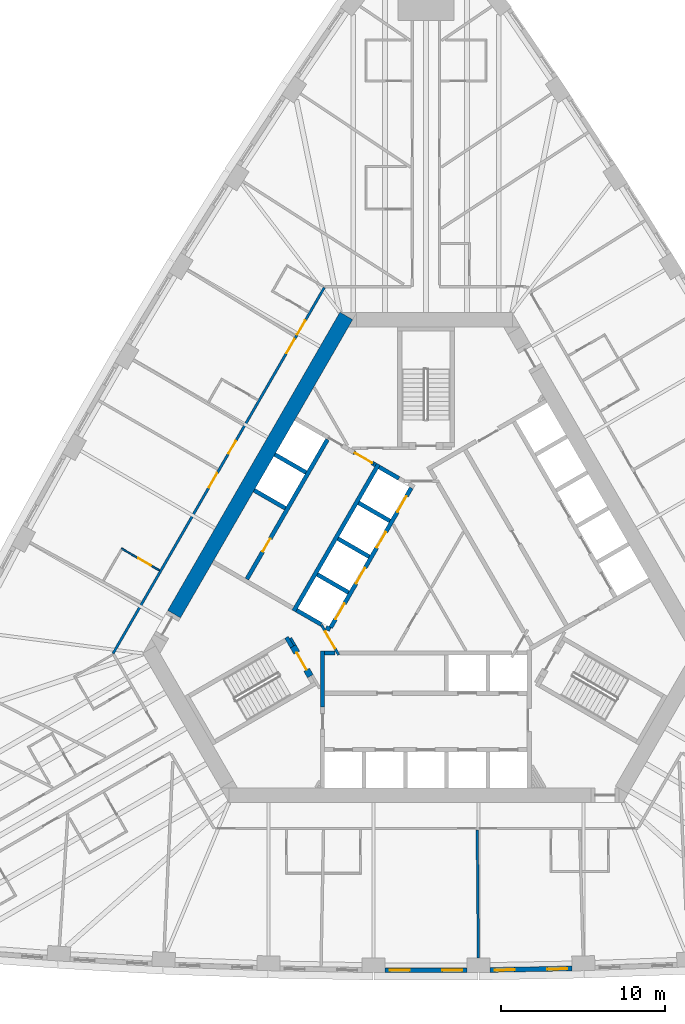
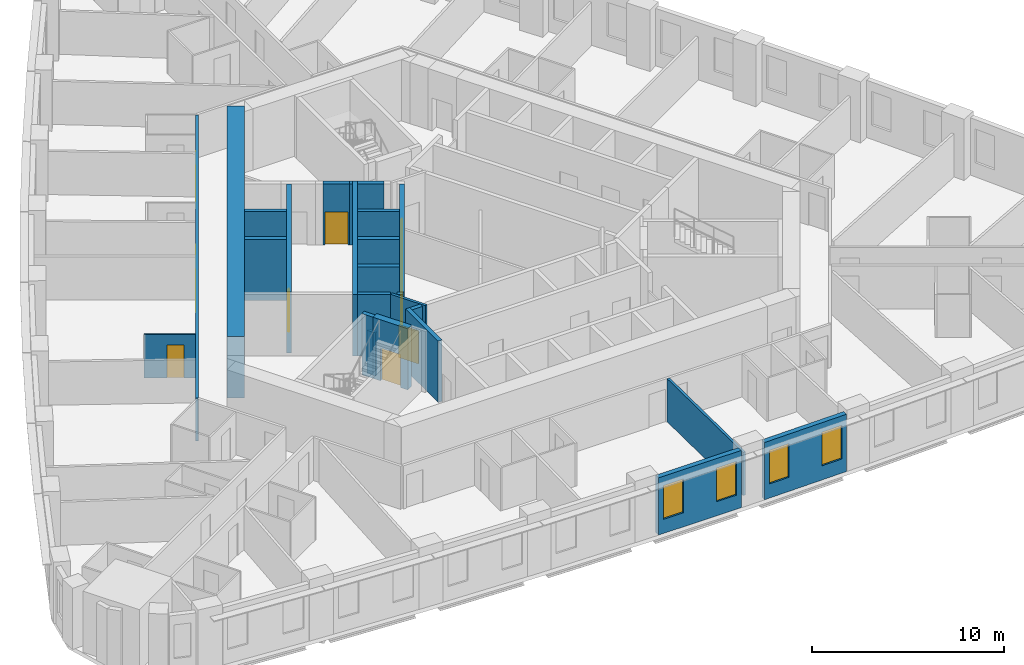
# One storey, part 5 of 13: 25 walls, 13 doors, 4 windows, 17 openings.
"""IFC4 building model written with IfcOpenShell, lengths in metres."""

from ifc_helpers import new_model, si_unit, direction, frame, frame_2d, origin, place, context, subcontext, project, spatial, polyline, rectangle, outline, extrude, material, layer, layer_set, type_object, element, fill, save


model = new_model("IFC4")

# Units and contexts
model_context = context("Model", 3, precision=1e-05, world=origin(), true_north=direction((0.0, 1.0)))
body_context = subcontext(model_context, "Body", "Model", "MODEL_VIEW")
ifc_project = project(units=[si_unit("LENGTHUNIT", "METRE"), si_unit("AREAUNIT", "SQUARE_METRE"), si_unit("VOLUMEUNIT", "CUBIC_METRE"), si_unit("PLANEANGLEUNIT", "RADIAN"), si_unit("MASSUNIT", "GRAM", prefix="KILO")], contexts=[model_context])

# Site, building, storey
site_placement = place(None, origin())
site = spatial("IfcSite", under=ifc_project, at=site_placement, CompositionType="ELEMENT")
building_placement = place(site_placement, origin())
building = spatial("IfcBuilding", under=site, at=building_placement, Name="Mestral Congress Tower", CompositionType="ELEMENT")
storey_placement = place(building_placement, frame((0.0, 0.0, 51.0)))
storey = spatial("IfcBuildingStorey", under=building, at=storey_placement, Name="L11", CompositionType="ELEMENT", Elevation=51.0)

# Walls
ifc_material_1 = material(Name="Fire-rated board partition")
ifc_layer_1 = layer(ifc_material_1, 0.14990234375)
ifc_layer_set_1 = layer_set([ifc_layer_1], Name="Fire-rated board partition")
wall_type_1 = type_object("IfcWallType", Name="Core partition 150", PredefinedType="PARTITIONING", material=ifc_layer_set_1)
wall_1_placement = place(storey_placement, frame((-8.251953125, -2.958251953125, 0.0), z_axis=(0.0, 0.0, 1.0), x_axis=(0.500174715838, -0.865924508047, 0.0)))
element("IfcWall", 1, at=wall_1_placement, inside=storey, type_object=wall_type_1, Name="L11 core wall", PredefinedType="PARTITIONING", context=body_context, shape_type="SweptSolid", body=[
    extrude(rectangle(XDim=0.513916015625, YDim=0.14990234375, at=frame_2d((0.2568359375, 0.0))), origin(), (0.0, 0.0, 1.0), 2.75),
])
ifc_material_2 = material(Name="Concrete C60/75", Category="concrete")
ifc_layer_2 = layer(ifc_material_2, 0.89990234375)
ifc_layer_set_2 = layer_set([ifc_layer_2], Name="Concrete C60/75")
wall_type_2 = type_object("IfcWallType", Name="Core wall RC 900", PredefinedType="SOLIDWALL", material=ifc_layer_set_2)
wall_2_placement = place(storey_placement, frame((-15.359619140625, -1.50341796875, 0.0), z_axis=(0.0, 0.0, 1.0), x_axis=(0.50000389221, 0.866023156604, 0.0)))
element("IfcWall", 2, at=wall_2_placement, inside=storey, type_object=wall_type_2, Name="L11 core wall", PredefinedType="SOLIDWALL", context=body_context, shape_type="SweptSolid", body=[
    extrude(rectangle(XDim=21.000244140625, YDim=0.89990234375, at=frame_2d((10.5, 0.0))), origin(), (0.0, 0.0, 1.0), 3.89990234375),
])

# Wall, openings, windows
ifc_material_3 = material(Name="Precast concrete C40/50 with limestone facing", Category="masonry")
ifc_layer_3 = layer(ifc_material_3, 0.2900390625)
ifc_layer_set_3 = layer_set([ifc_layer_3], Name="Precast concrete C40/50 with limestone facing")
wall_type_3 = type_object("IfcWallType", Name="Facade stone wall 290", PredefinedType="SOLIDWALL", material=ifc_layer_set_3)
wall_3_placement = place(storey_placement, frame((-2.4990234375, -23.21826171875, 0.0), z_axis=(0.0, 0.0, 1.0), x_axis=(1.0, 0.0, 0.0)))
wall_3 = element("IfcWall", 3, at=wall_3_placement, inside=storey, type_object=wall_type_3, Name="Facade wall F0-04", PredefinedType="SOLIDWALL", context=body_context, shape_type="SweptSolid", body=[
    extrude(rectangle(XDim=4.998046875, YDim=0.2900390625, at=frame_2d((2.4990234375, 0.0))), origin(), (0.0, 0.0, 1.0), 3.64990234375),
])
opening_1_placement = place(wall_3_placement, frame((0.297119140625, 0.0, 0.89990234375)))
opening_1 = element("IfcOpeningElement", 4, at=opening_1_placement, cuts=wall_3, Name="Opening W1", PredefinedType="OPENING", context=body_context, shape_type="SweptSolid", body=[
    extrude(rectangle(XDim=1.199951171875, YDim=2.14990234375, at=frame_2d((0.60009765625, 1.074951171875))), frame((0.0, 0.155029296875, 0.0), z_axis=(0.0, -1.0, 0.0), x_axis=(1.0, 0.0, 0.0)), (0.0, 0.0, 1.0), 0.31005859375),
])
opening_2_placement = place(wall_3_placement, frame((3.501220703125, 0.0, 0.89990234375)))
opening_2 = element("IfcOpeningElement", 5, at=opening_2_placement, cuts=wall_3, Name="Opening W1", PredefinedType="OPENING", context=body_context, shape_type="SweptSolid", body=[
    extrude(rectangle(XDim=1.199951171875, YDim=2.14990234375, at=frame_2d((0.60009765625, 1.074951171875))), frame((0.0, 0.155029296875, 0.0), z_axis=(0.0, -1.0, 0.0), x_axis=(1.0, 0.0, 0.0)), (0.0, 0.0, 1.0), 0.31005859375),
])
ifc_material_4 = material(Name="Clear low-emissivity double glazing", Category="glass")
window_type = type_object("IfcWindowType", Name="Facade punched window 1200 x 2150 sill 900", PartitioningType="DOUBLE_PANEL_VERTICAL", PredefinedType="WINDOW", material=ifc_material_4)
window_1_placement = place(opening_1_placement, origin())
window_1 = element("IfcWindow", 6, at=window_1_placement, inside=storey, type_object=window_type, Name="Window F0-04a", OverallHeight=2.14990234375, OverallWidth=1.199951171875, PartitioningType="DOUBLE_PANEL_VERTICAL", PredefinedType="WINDOW", context=body_context, shape_type="SweptSolid", body=[
    extrude(rectangle(XDim=1.199951171875, YDim=2.14990234375, at=frame_2d((0.60009765625, 1.074951171875))), frame((0.0, 0.01513671875, 0.0), z_axis=(0.0, -1.0, 0.0), x_axis=(1.0, 0.0, 0.0)), (0.0, 0.0, 1.0), 0.06005859375),
])
fill(opening_1, window_1)
window_2_placement = place(opening_2_placement, origin())
window_2 = element("IfcWindow", 7, at=window_2_placement, inside=storey, type_object=window_type, Name="Window F0-04b", OverallHeight=2.14990234375, OverallWidth=1.199951171875, PartitioningType="DOUBLE_PANEL_VERTICAL", PredefinedType="WINDOW", context=body_context, shape_type="SweptSolid", body=[
    extrude(rectangle(XDim=1.199951171875, YDim=2.14990234375, at=frame_2d((0.60009765625, 1.074951171875))), frame((0.0, 0.01513671875, 0.0), z_axis=(0.0, -1.0, 0.0), x_axis=(1.0, 0.0, 0.0)), (0.0, 0.0, 1.0), 0.06005859375),
])
fill(opening_2, window_2)

wall_4_placement = place(storey_placement, frame((3.90625, -23.205078125, 0.0), z_axis=(0.0, 0.0, 1.0), x_axis=(0.999829529479, 0.018463801951, 0.0)))
wall_4 = element("IfcWall", 8, at=wall_4_placement, inside=storey, type_object=wall_type_3, Name="Facade wall F0-05", PredefinedType="SOLIDWALL", context=body_context, shape_type="SweptSolid", body=[
    extrude(rectangle(XDim=4.998046875, YDim=0.2900390625, at=frame_2d((2.4990234375, 0.0))), origin(), (0.0, 0.0, 1.0), 3.64990234375),
])
opening_3_placement = place(wall_4_placement, frame((0.297119140625, 0.0, 0.89990234375)))
opening_3 = element("IfcOpeningElement", 9, at=opening_3_placement, cuts=wall_4, Name="Opening W1", PredefinedType="OPENING", context=body_context, shape_type="SweptSolid", body=[
    extrude(rectangle(XDim=1.199951171875, YDim=2.14990234375, at=frame_2d((0.60009765625, 1.074951171875))), frame((0.0, 0.155029296875, 0.0), z_axis=(0.0, -1.0, 0.0), x_axis=(1.0, 0.0, 0.0)), (0.0, 0.0, 1.0), 0.31005859375),
])
opening_4_placement = place(wall_4_placement, frame((3.501220703125, 0.0, 0.89990234375)))
opening_4 = element("IfcOpeningElement", 10, at=opening_4_placement, cuts=wall_4, Name="Opening W1", PredefinedType="OPENING", context=body_context, shape_type="SweptSolid", body=[
    extrude(rectangle(XDim=1.199951171875, YDim=2.14990234375, at=frame_2d((0.60009765625, 1.074951171875))), frame((0.0, 0.155029296875, 0.0), z_axis=(0.0, -1.0, 0.0), x_axis=(1.0, 0.0, 0.0)), (0.0, 0.0, 1.0), 0.31005859375),
])
window_3_placement = place(opening_3_placement, origin())
window_3 = element("IfcWindow", 11, at=window_3_placement, inside=storey, type_object=window_type, Name="Window F0-05a", OverallHeight=2.14990234375, OverallWidth=1.199951171875, PartitioningType="DOUBLE_PANEL_VERTICAL", PredefinedType="WINDOW", context=body_context, shape_type="SweptSolid", body=[
    extrude(rectangle(XDim=1.199951171875, YDim=2.14990234375, at=frame_2d((0.60009765625, 1.074951171875))), frame((0.0, 0.01513671875, 0.0), z_axis=(0.0, -1.0, 0.0), x_axis=(1.0, 0.0, 0.0)), (0.0, 0.0, 1.0), 0.06005859375),
])
fill(opening_3, window_3)
window_4_placement = place(opening_4_placement, origin())
window_4 = element("IfcWindow", 12, at=window_4_placement, inside=storey, type_object=window_type, Name="Window F0-05b", OverallHeight=2.14990234375, OverallWidth=1.199951171875, PartitioningType="DOUBLE_PANEL_VERTICAL", PredefinedType="WINDOW", context=body_context, shape_type="SweptSolid", body=[
    extrude(rectangle(XDim=1.199951171875, YDim=2.14990234375, at=frame_2d((0.60009765625, 1.074951171875))), frame((0.0, 0.01513671875, 0.0), z_axis=(0.0, -1.0, 0.0), x_axis=(1.0, 0.0, 0.0)), (0.0, 0.0, 1.0), 0.06005859375),
])
fill(opening_4, window_4)

# Wall, opening, door
ifc_material_5 = material(Name="Gypsum board partition on metal studs with mineral wool", Category="composite")
ifc_layer_4 = layer(ifc_material_5, 0.10009765625)
ifc_layer_set_4 = layer_set([ifc_layer_4], Name="Gypsum board partition on metal studs with mineral wool")
wall_type_4 = type_object("IfcWallType", Name="Hotel partition wall 100", PredefinedType="PARTITIONING", material=ifc_layer_set_4)
wall_5_placement = place(storey_placement, frame((-16.247314453125, 1.158935546875, 0.0), z_axis=(0.0, 0.0, 1.0), x_axis=(-0.866059108428, 0.4999416173, 0.0)))
wall_5 = element("IfcWall", 13, at=wall_5_placement, inside=storey, type_object=wall_type_4, Name="L11-h-pod23a", PredefinedType="PARTITIONING", context=body_context, shape_type="SweptSolid", body=[
    extrude(rectangle(XDim=2.699951171875, YDim=0.10009765625, at=frame_2d((1.35009765625, 0.0))), origin(), (0.0, 0.0, 1.0), 2.75),
])
opening_5_placement = place(wall_5_placement, frame((0.60009765625, 0.0, 0.0)))
opening_5 = element("IfcOpeningElement", 14, at=opening_5_placement, cuts=wall_5, Name="Opening H03-044", PredefinedType="OPENING", context=body_context, shape_type="SweptSolid", body=[
    extrude(rectangle(XDim=0.89990234375, YDim=2.10009765625, at=frame_2d((0.449951171875, 1.050048828125))), frame((0.0, 0.06005859375, 0.0), z_axis=(0.0, -1.0, 0.0), x_axis=(1.0, 0.0, 0.0)), (0.0, 0.0, 1.0), 0.1201171875),
])
ifc_material_6 = material(Name="Timber veneer door leaf in timber frame", Category="wood")
door_type_1 = type_object("IfcDoorType", Name="Bathroom door 900", OperationType="SINGLE_SWING_LEFT", PredefinedType="DOOR", material=ifc_material_6)
door_1_placement = place(opening_5_placement, origin())
door_1 = element("IfcDoor", 15, at=door_1_placement, inside=storey, type_object=door_type_1, Name="L11-h-d044", OperationType="SINGLE_SWING_LEFT", OverallHeight=2.10009765625, OverallWidth=0.89990234375, PredefinedType="DOOR", context=body_context, shape_type="SweptSolid", body=[
    extrude(rectangle(XDim=0.89990234375, YDim=2.10009765625, at=frame_2d((0.449951171875, 1.050048828125))), frame((0.0, 0.02490234375, 0.0), z_axis=(0.0, -1.0, 0.0), x_axis=(1.0, 0.0, 0.0)), (0.0, 0.0, 1.0), 0.050048828125),
])
fill(opening_5, door_1)

# Wall, openings, doors
ifc_layer_5 = layer(ifc_material_5, 0.14990234375)
ifc_layer_set_5 = layer_set([ifc_layer_5], Name="Gypsum board partition on metal studs with mineral wool")
wall_type_5 = type_object("IfcWallType", Name="Hotel partition wall 150", PredefinedType="PARTITIONING", material=ifc_layer_set_5)
wall_6_placement = place(storey_placement, frame((-19.081298828125, -3.89990234375, 0.0), z_axis=(0.0, 0.0, 1.0), x_axis=(0.499998313975, 0.866026377209, 0.0)))
wall_6 = element("IfcWall", 16, at=wall_6_placement, inside=storey, type_object=wall_type_5, Name="L11-h-cw08", PredefinedType="PARTITIONING", context=body_context, shape_type="SweptSolid", body=[
    extrude(rectangle(XDim=25.76611328125, YDim=0.14990234375, at=frame_2d((12.883056640625, 0.0))), origin(), (0.0, 0.0, 1.0), 2.75),
])
opening_6_placement = place(wall_6_placement, frame((22.4453125, 0.0, 0.0)))
opening_6 = element("IfcOpeningElement", 17, at=opening_6_placement, cuts=wall_6, Name="Opening H03-038", PredefinedType="OPENING", context=body_context, shape_type="SweptSolid", body=[
    extrude(rectangle(XDim=1.0, YDim=2.10009765625, at=frame_2d((0.5, 1.050048828125))), frame((0.0, 0.0849609375, 0.0), z_axis=(0.0, -1.0, 0.0), x_axis=(1.0, 0.0, 0.0)), (0.0, 0.0, 1.0), 0.169921875),
])
opening_7_placement = place(wall_6_placement, frame((21.13818359375, 0.0, 0.0)))
opening_7 = element("IfcOpeningElement", 18, at=opening_7_placement, cuts=wall_6, Name="Opening H03-040", PredefinedType="OPENING", context=body_context, shape_type="SweptSolid", body=[
    extrude(rectangle(XDim=1.0, YDim=2.10009765625, at=frame_2d((0.5, 1.050048828125))), frame((0.0, 0.0849609375, 0.0), z_axis=(0.0, -1.0, 0.0), x_axis=(1.0, 0.0, 0.0)), (0.0, 0.0, 1.0), 0.169921875),
])
opening_8_placement = place(wall_6_placement, frame((14.06640625, 0.0, 0.0)))
opening_8 = element("IfcOpeningElement", 19, at=opening_8_placement, cuts=wall_6, Name="Opening H03-042", PredefinedType="OPENING", context=body_context, shape_type="SweptSolid", body=[
    extrude(rectangle(XDim=0.89990234375, YDim=2.10009765625, at=frame_2d((0.449951171875, 1.050048828125))), frame((0.0, 0.0849609375, 0.0), z_axis=(0.0, -1.0, 0.0), x_axis=(1.0, 0.0, 0.0)), (0.0, 0.0, 1.0), 0.169921875),
])
opening_9_placement = place(wall_6_placement, frame((11.692626953125, 0.0, 0.0)))
opening_9 = element("IfcOpeningElement", 20, at=opening_9_placement, cuts=wall_6, Name="Opening H03-043", PredefinedType="OPENING", context=body_context, shape_type="SweptSolid", body=[
    extrude(rectangle(XDim=1.0, YDim=2.10009765625, at=frame_2d((0.5, 1.050048828125))), frame((0.0, 0.0849609375, 0.0), z_axis=(0.0, -1.0, 0.0), x_axis=(1.0, 0.0, 0.0)), (0.0, 0.0, 1.0), 0.169921875),
])
ifc_material_7 = material(Name="Timber veneer door leaf in metal frame", Category="wood")
door_type_2 = type_object("IfcDoorType", Name="Guest room entrance door 1000", OperationType="SINGLE_SWING_LEFT", PredefinedType="DOOR", material=ifc_material_7)
door_2_placement = place(opening_6_placement, origin())
door_2 = element("IfcDoor", 21, at=door_2_placement, inside=storey, type_object=door_type_2, Name="L11-h-d038", OperationType="SINGLE_SWING_LEFT", OverallHeight=2.10009765625, OverallWidth=1.0, PredefinedType="DOOR", context=body_context, shape_type="SweptSolid", body=[
    extrude(rectangle(XDim=1.0, YDim=2.10009765625, at=frame_2d((0.5, 1.050048828125))), frame((0.0, 0.02490234375, 0.0), z_axis=(0.0, -1.0, 0.0), x_axis=(1.0, 0.0, 0.0)), (0.0, 0.0, 1.0), 0.050048828125),
])
fill(opening_6, door_2)
door_3_placement = place(opening_7_placement, origin())
door_3 = element("IfcDoor", 22, at=door_3_placement, inside=storey, type_object=door_type_2, Name="L11-h-d040", OperationType="SINGLE_SWING_RIGHT", OverallHeight=2.10009765625, OverallWidth=1.0, PredefinedType="DOOR", context=body_context, shape_type="SweptSolid", body=[
    extrude(rectangle(XDim=1.0, YDim=2.10009765625, at=frame_2d((0.5, 1.050048828125))), frame((0.0, 0.02490234375, 0.0), z_axis=(0.0, -1.0, 0.0), x_axis=(1.0, 0.0, 0.0)), (0.0, 0.0, 1.0), 0.050048828125),
])
fill(opening_7, door_3)
door_4_placement = place(opening_9_placement, origin())
door_4 = element("IfcDoor", 23, at=door_4_placement, inside=storey, type_object=door_type_2, Name="L11-h-d043", OperationType="SINGLE_SWING_RIGHT", OverallHeight=2.10009765625, OverallWidth=1.0, PredefinedType="DOOR", context=body_context, shape_type="SweptSolid", body=[
    extrude(rectangle(XDim=1.0, YDim=2.10009765625, at=frame_2d((0.5, 1.050048828125))), frame((0.0, 0.02490234375, 0.0), z_axis=(0.0, -1.0, 0.0), x_axis=(1.0, 0.0, 0.0)), (0.0, 0.0, 1.0), 0.050048828125),
])
fill(opening_9, door_4)
door_type_3 = type_object("IfcDoorType", Name="Service room door 900", OperationType="SINGLE_SWING_LEFT", PredefinedType="DOOR", material=ifc_material_7)
door_5_placement = place(opening_8_placement, origin())
door_5 = element("IfcDoor", 24, at=door_5_placement, inside=storey, type_object=door_type_3, Name="L11-h-d042", OperationType="SINGLE_SWING_RIGHT", OverallHeight=2.10009765625, OverallWidth=0.89990234375, PredefinedType="DOOR", context=body_context, shape_type="SweptSolid", body=[
    extrude(rectangle(XDim=0.89990234375, YDim=2.10009765625, at=frame_2d((0.449951171875, 1.050048828125))), frame((0.0, 0.02490234375, 0.0), z_axis=(0.0, -1.0, 0.0), x_axis=(1.0, 0.0, 0.0)), (0.0, 0.0, 1.0), 0.050048828125),
])
fill(opening_8, door_5)

# Walls
wall_7_placement = place(storey_placement, frame((3.19580078125, -22.463134765625, 0.0), z_axis=(0.0, 0.0, 1.0), x_axis=(-0.00926060032, 0.999957119721, 0.0)))
element("IfcWall", 25, at=wall_7_placement, inside=storey, type_object=wall_type_5, Name="L11-h-pw17", PredefinedType="PARTITIONING", context=body_context, shape_type="SweptSolid", body=[
    extrude(rectangle(XDim=7.803466796875, YDim=0.14990234375, at=frame_2d((3.90185546875, 0.0))), origin(), (0.0, 0.0, 1.0), 2.75),
])
ifc_layer_6 = layer(ifc_material_2, 0.25)
ifc_layer_set_6 = layer_set([ifc_layer_6], Name="Concrete C60/75")
wall_type_6 = type_object("IfcWallType", Name="Shaft wall RC 250", PredefinedType="SOLIDWALL", material=ifc_layer_set_6)
wall_8_placement = place(storey_placement, frame((-6.300048828125, -3.75, 0.0), z_axis=(0.0, 0.0, 1.0), x_axis=(0.0, -1.0, 0.0)))
element("IfcWall", 26, at=wall_8_placement, inside=storey, type_object=wall_type_6, Name="L11 core wall", PredefinedType="SOLIDWALL", context=body_context, shape_type="SweptSolid", body=[
    extrude(rectangle(XDim=3.404296875, YDim=0.25, at=frame_2d((1.7021484375, 0.0))), origin(), (0.0, 0.0, 1.0), 3.89990234375),
])
wall_9_placement = place(storey_placement, frame((-6.175048828125, -3.875, 0.0), z_axis=(0.0, 0.0, 1.0), x_axis=(1.0, 0.0, 0.0)))
element("IfcWall", 27, at=wall_9_placement, inside=storey, type_object=wall_type_6, Name="L11 core wall", PredefinedType="SOLIDWALL", context=body_context, shape_type="SweptSolid", body=[
    extrude(rectangle(XDim=0.63671875, YDim=0.25, at=frame_2d((0.318359375, 0.0))), origin(), (0.0, 0.0, 1.0), 3.89990234375),
])
wall_10_placement = place(storey_placement, frame((-8.06005859375, -1.310546875, 0.0), z_axis=(0.0, 0.0, 1.0), x_axis=(0.50000273126, 0.866023826885, 0.0)))
element("IfcWall", 28, at=wall_10_placement, inside=storey, type_object=wall_type_6, Name="L11 core wall", PredefinedType="SOLIDWALL", context=body_context, shape_type="SweptSolid", body=[
    extrude(rectangle(XDim=10.330078125, YDim=0.25, at=frame_2d((5.1650390625, 0.0))), origin(), (0.0, 0.0, 1.0), 3.89990234375),
])
wall_11_placement = place(storey_placement, frame((-1.6474609375, 6.770751953125, 0.0), z_axis=(0.0, 0.0, 1.0), x_axis=(-0.865971728693, 0.500092956464, 0.0)))
element("IfcWall", 29, at=wall_11_placement, inside=storey, type_object=wall_type_6, Name="L11 core wall", PredefinedType="SOLIDWALL", context=body_context, shape_type="SweptSolid", body=[
    extrude(rectangle(XDim=1.387939453125, YDim=0.25, at=frame_2d((0.69384765625, 0.0))), origin(), (0.0, 0.0, 1.0), 3.89990234375),
])
for number, where, z_axis, x_axis, name in (
    (30, (-2.2041015625, 4.182373046875, 0.0), (0.0, 0.0, 1.0), (-0.866008176907, 0.50002983664, 0.0), "L11 core wall"),
    (31, (-5.369384765625, 3.10009765625, 0.0), (0.0, 0.0, 1.0), (0.866008176907, -0.50002983664, 0.0), "L11 core wall"),
    (32, (-4.72412109375, -0.182373046875, 0.0), (0.0, 0.0, 1.0), (-0.866008176907, 0.50002983664, 0.0), "L11 core wall"),
):
    element("IfcWall", number, at=place(storey_placement, frame(where, z_axis=z_axis, x_axis=x_axis)), inside=storey, type_object=wall_type_6, Name=name, PredefinedType="SOLIDWALL", context=body_context, shape_type="SweptSolid", body=[
        extrude(rectangle(XDim=2.199951171875, YDim=0.25, at=frame_2d((1.10009765625, 0.0))), origin(), (0.0, 0.0, 1.0), 3.89990234375),
    ])
wall_12_placement = place(storey_placement, frame((-6.088134765625, -2.3046875, 0.0), z_axis=(0.0, 0.0, 1.0), x_axis=(0.866059450854, -0.499941024108, 0.0)))
element("IfcWall", 33, at=wall_12_placement, inside=storey, type_object=wall_type_6, Name="L11 core wall", PredefinedType="SOLIDWALL", context=body_context, shape_type="SweptSolid", body=[
    extrude(rectangle(XDim=0.2900390625, YDim=0.25, at=frame_2d((0.14501953125, 0.0))), origin(), (0.0, 0.0, 1.0), 3.89990234375),
])
wall_13_placement = place(storey_placement, frame((-7.889404296875, -1.2646484375, 0.0), z_axis=(0.0, 0.0, 1.0), x_axis=(0.865986741702, -0.500066958712, 0.0)))
element("IfcWall", 34, at=wall_13_placement, inside=storey, type_object=wall_type_6, Name="L11 core wall", PredefinedType="SOLIDWALL", context=body_context, shape_type="SweptSolid", body=[
    extrude(rectangle(XDim=1.738037109375, YDim=0.25, at=frame_2d((0.869140625, 0.0))), origin(), (0.0, 0.0, 1.0), 3.89990234375),
])
wall_14_placement = place(storey_placement, origin())
element("IfcWall", 35, at=wall_14_placement, inside=storey, type_object=wall_type_6, Name="L11 core wall", PredefinedType="SOLIDWALL", context=body_context, shape_type="SweptSolid", body=[
    extrude(outline(polyline([(-3.12841796875, 7.4814453125), (-3.2587890625, 7.556640625), (-3.1337890625, 7.773193359375), (-3.00341796875, 7.697998046875), (-3.12841796875, 7.4814453125)])), origin(), (0.0, 0.0, 1.0), 3.89990234375),
])
for number, where, z_axis, x_axis, name in (
    (36, (-8.57373046875, 4.949951171875, 0.0), (0.0, 0.0, 1.0), (-0.866008176907, 0.50002983664, 0.0), "L11 core wall"),
    (37, (-7.313720703125, 7.13232421875, 0.0), (0.0, 0.0, 1.0), (-0.866008176907, 0.50002983664, 0.0), "L11 core wall"),
):
    element("IfcWall", number, at=place(storey_placement, frame(where, z_axis=z_axis, x_axis=x_axis)), inside=storey, type_object=wall_type_6, Name=name, PredefinedType="SOLIDWALL", context=body_context, shape_type="SweptSolid", body=[
        extrude(rectangle(XDim=2.199951171875, YDim=0.25, at=frame_2d((1.10009765625, 0.0))), origin(), (0.0, 0.0, 1.0), 3.89990234375),
    ])

# Wall, opening, door
wall_15_placement = place(storey_placement, frame((-6.0078125, 9.14404296875, 0.0), z_axis=(0.0, 0.0, 1.0), x_axis=(-0.500006956611, -0.866021387346, 0.0)))
wall_15 = element("IfcWall", 38, at=wall_15_placement, inside=storey, type_object=wall_type_6, Name="L11 door wall", PredefinedType="SOLIDWALL", context=body_context, shape_type="SweptSolid", body=[
    extrude(rectangle(XDim=9.829833984375, YDim=0.25, at=frame_2d((4.9150390625, 0.0))), origin(), (0.0, 0.0, 1.0), 3.89990234375),
])
opening_10_placement = place(wall_15_placement, frame((6.985107421875, 0.0, 0.0)))
opening_10 = element("IfcOpeningElement", 39, at=opening_10_placement, cuts=wall_15, Name="Opening SR-NWA2", PredefinedType="OPENING", context=body_context, shape_type="SweptSolid", body=[
    extrude(rectangle(XDim=0.89990234375, YDim=2.10009765625, at=frame_2d((0.449951171875, 1.050048828125))), frame((0.0, 0.135009765625, 0.0), z_axis=(0.0, -1.0, 0.0), x_axis=(1.0, 0.0, 0.0)), (0.0, 0.0, 1.0), 0.27001953125),
])
ifc_material_8 = material(Name="Fire-rated steel door set", Category="steel")
door_type_4 = type_object("IfcDoorType", Name="Core door SR 900x2100", OperationType="SINGLE_SWING_LEFT", PredefinedType="DOOR", material=ifc_material_8)
door_6_placement = place(opening_10_placement, origin())
door_6 = element("IfcDoor", 40, at=door_6_placement, inside=storey, type_object=door_type_4, Name="Door SR-NWA2", OperationType="SINGLE_SWING_LEFT", OverallHeight=2.10009765625, OverallWidth=0.89990234375, PredefinedType="DOOR", context=body_context, shape_type="SweptSolid", body=[
    extrude(rectangle(XDim=0.89990234375, YDim=2.10009765625, at=frame_2d((0.449951171875, 1.050048828125))), frame((0.0, 0.02490234375, 0.0), z_axis=(0.0, -1.0, 0.0), x_axis=(1.0, 0.0, 0.0)), (0.0, 0.0, 1.0), 0.050048828125),
])
fill(opening_10, door_6)

# Wall, openings, doors
wall_16_placement = place(storey_placement, frame((-0.898193359375, 6.194091796875, 0.0), z_axis=(0.0, 0.0, 1.0), x_axis=(-0.499996202215, -0.866027596426, 0.0)))
wall_16 = element("IfcWall", 41, at=wall_16_placement, inside=storey, type_object=wall_type_6, Name="L11 door wall", PredefinedType="SOLIDWALL", context=body_context, shape_type="SweptSolid", body=[
    extrude(rectangle(XDim=9.830078125, YDim=0.25, at=frame_2d((4.9150390625, 0.0))), origin(), (0.0, 0.0, 1.0), 3.89990234375),
])
opening_11_placement = place(wall_16_placement, frame((0.5849609375, 0.0, 0.0)))
opening_11 = element("IfcOpeningElement", 42, at=opening_11_placement, cuts=wall_16, Name="Opening LD-NWB1", PredefinedType="OPENING", context=body_context, shape_type="SweptSolid", body=[
    extrude(rectangle(XDim=1.10009765625, YDim=2.10009765625, at=frame_2d((0.550048828125, 1.050048828125))), frame((0.0, 0.135009765625, 0.0), z_axis=(0.0, -1.0, 0.0), x_axis=(1.0, 0.0, 0.0)), (0.0, 0.0, 1.0), 0.27001953125),
])
opening_12_placement = place(wall_16_placement, frame((3.10498046875, 0.0, 0.0)))
opening_12 = element("IfcOpeningElement", 43, at=opening_12_placement, cuts=wall_16, Name="Opening LD-NWB2", PredefinedType="OPENING", context=body_context, shape_type="SweptSolid", body=[
    extrude(rectangle(XDim=1.10009765625, YDim=2.10009765625, at=frame_2d((0.550048828125, 1.050048828125))), frame((0.0, 0.135009765625, 0.0), z_axis=(0.0, -1.0, 0.0), x_axis=(1.0, 0.0, 0.0)), (0.0, 0.0, 1.0), 0.27001953125),
])
opening_13_placement = place(wall_16_placement, frame((5.625, 0.0, 0.0)))
opening_13 = element("IfcOpeningElement", 44, at=opening_13_placement, cuts=wall_16, Name="Opening LD-NWB3", PredefinedType="OPENING", context=body_context, shape_type="SweptSolid", body=[
    extrude(rectangle(XDim=1.10009765625, YDim=2.10009765625, at=frame_2d((0.550048828125, 1.050048828125))), frame((0.0, 0.135009765625, 0.0), z_axis=(0.0, -1.0, 0.0), x_axis=(1.0, 0.0, 0.0)), (0.0, 0.0, 1.0), 0.27001953125),
])
opening_14_placement = place(wall_16_placement, frame((8.14501953125, 0.0, 0.0)))
opening_14 = element("IfcOpeningElement", 45, at=opening_14_placement, cuts=wall_16, Name="Opening LD-NWB4", PredefinedType="OPENING", context=body_context, shape_type="SweptSolid", body=[
    extrude(rectangle(XDim=1.10009765625, YDim=2.10009765625, at=frame_2d((0.550048828125, 1.050048828125))), frame((0.0, 0.135009765625, 0.0), z_axis=(0.0, -1.0, 0.0), x_axis=(1.0, 0.0, 0.0)), (0.0, 0.0, 1.0), 0.27001953125),
])
door_type_5 = type_object("IfcDoorType", Name="Core door LD 1100x2100", OperationType="DOUBLE_DOOR_SLIDING", PredefinedType="DOOR", material=ifc_material_8)
door_7_placement = place(opening_11_placement, origin())
door_7 = element("IfcDoor", 46, at=door_7_placement, inside=storey, type_object=door_type_5, Name="Door LD-NWB1", OperationType="DOUBLE_DOOR_SLIDING", OverallHeight=2.10009765625, OverallWidth=1.10009765625, PredefinedType="DOOR", context=body_context, shape_type="SweptSolid", body=[
    extrude(rectangle(XDim=1.10009765625, YDim=2.10009765625, at=frame_2d((0.550048828125, 1.050048828125))), frame((0.0, 0.02490234375, 0.0), z_axis=(0.0, -1.0, 0.0), x_axis=(1.0, 0.0, 0.0)), (0.0, 0.0, 1.0), 0.050048828125),
])
fill(opening_11, door_7)
door_8_placement = place(opening_12_placement, origin())
door_8 = element("IfcDoor", 47, at=door_8_placement, inside=storey, type_object=door_type_5, Name="Door LD-NWB2", OperationType="DOUBLE_DOOR_SLIDING", OverallHeight=2.10009765625, OverallWidth=1.10009765625, PredefinedType="DOOR", context=body_context, shape_type="SweptSolid", body=[
    extrude(rectangle(XDim=1.10009765625, YDim=2.10009765625, at=frame_2d((0.550048828125, 1.050048828125))), frame((0.0, 0.02490234375, 0.0), z_axis=(0.0, -1.0, 0.0), x_axis=(1.0, 0.0, 0.0)), (0.0, 0.0, 1.0), 0.050048828125),
])
fill(opening_12, door_8)
door_9_placement = place(opening_13_placement, origin())
door_9 = element("IfcDoor", 48, at=door_9_placement, inside=storey, type_object=door_type_5, Name="Door LD-NWB3", OperationType="DOUBLE_DOOR_SLIDING", OverallHeight=2.10009765625, OverallWidth=1.10009765625, PredefinedType="DOOR", context=body_context, shape_type="SweptSolid", body=[
    extrude(rectangle(XDim=1.10009765625, YDim=2.10009765625, at=frame_2d((0.550048828125, 1.050048828125))), frame((0.0, 0.02490234375, 0.0), z_axis=(0.0, -1.0, 0.0), x_axis=(1.0, 0.0, 0.0)), (0.0, 0.0, 1.0), 0.050048828125),
])
fill(opening_13, door_9)
door_10_placement = place(opening_14_placement, origin())
door_10 = element("IfcDoor", 49, at=door_10_placement, inside=storey, type_object=door_type_5, Name="Door LD-NWB4", OperationType="DOUBLE_DOOR_SLIDING", OverallHeight=2.10009765625, OverallWidth=1.10009765625, PredefinedType="DOOR", context=body_context, shape_type="SweptSolid", body=[
    extrude(rectangle(XDim=1.10009765625, YDim=2.10009765625, at=frame_2d((0.550048828125, 1.050048828125))), frame((0.0, 0.02490234375, 0.0), z_axis=(0.0, -1.0, 0.0), x_axis=(1.0, 0.0, 0.0)), (0.0, 0.0, 1.0), 0.050048828125),
])
fill(opening_14, door_10)

# Wall, opening, door
wall_17_placement = place(storey_placement, frame((-4.40869140625, 8.364990234375, 0.0), z_axis=(0.0, 0.0, 1.0), x_axis=(0.866034573852, -0.49998411664, 0.0)))
wall_17 = element("IfcWall", 50, at=wall_17_placement, inside=storey, type_object=wall_type_6, Name="L11 door wall", PredefinedType="SOLIDWALL", context=body_context, shape_type="SweptSolid", body=[
    extrude(rectangle(XDim=1.39990234375, YDim=0.25, at=frame_2d((0.699951171875, 0.0))), origin(), (0.0, 0.0, 1.0), 3.89990234375),
])
opening_15_placement = place(wall_17_placement, frame((0.10009765625, 0.0, 0.0)))
opening_15 = element("IfcOpeningElement", 51, at=opening_15_placement, cuts=wall_17, Name="Opening LB2-WL2", PredefinedType="OPENING", context=body_context, shape_type="SweptSolid", body=[
    extrude(rectangle(XDim=1.199951171875, YDim=2.10009765625, at=frame_2d((0.60009765625, 1.050048828125))), frame((0.0, 0.135009765625, 0.0), z_axis=(0.0, -1.0, 0.0), x_axis=(1.0, 0.0, 0.0)), (0.0, 0.0, 1.0), 0.27001953125),
])
door_type_6 = type_object("IfcDoorType", Name="Core door LB 1200x2100", OperationType="SINGLE_SWING_LEFT", PredefinedType="DOOR", material=ifc_material_8)
door_11_placement = place(opening_15_placement, origin())
door_11 = element("IfcDoor", 52, at=door_11_placement, inside=storey, type_object=door_type_6, Name="Door LB2-WL2", OperationType="SINGLE_SWING_LEFT", OverallHeight=2.10009765625, OverallWidth=1.199951171875, PredefinedType="DOOR", context=body_context, shape_type="SweptSolid", body=[
    extrude(rectangle(XDim=1.199951171875, YDim=2.10009765625, at=frame_2d((0.60009765625, 1.050048828125))), frame((0.0, 0.02490234375, 0.0), z_axis=(0.0, -1.0, 0.0), x_axis=(1.0, 0.0, 0.0)), (0.0, 0.0, 1.0), 0.050048828125),
])
fill(opening_15, door_11)

ifc_layer_7 = layer(ifc_material_2, 0.14990234375)
ifc_layer_set_7 = layer_set([ifc_layer_7], Name="Concrete C60/75")
wall_type_7 = type_object("IfcWallType", Name="Shaft wall RC 250 door-wall 150", PredefinedType="SOLIDWALL", material=ifc_layer_set_7)
wall_18_placement = place(storey_placement, frame((-5.3173828125, -3.98974609375, 0.0), z_axis=(0.0, 0.0, 1.0), x_axis=(-0.500027713859, 0.866009402589, 0.0)))
wall_18 = element("IfcWall", 53, at=wall_18_placement, inside=storey, type_object=wall_type_7, Name="L11 door wall", PredefinedType="PARTITIONING", context=body_context, shape_type="SweptSolid", body=[
    extrude(rectangle(XDim=2.10009765625, YDim=0.14990234375, at=frame_2d((1.050048828125, 0.0))), origin(), (0.0, 0.0, 1.0), 3.89990234375),
])
opening_16_placement = place(wall_18_placement, frame((0.449951171875, 0.0, 0.0)))
opening_16 = element("IfcOpeningElement", 54, at=opening_16_placement, cuts=wall_18, Name="Opening CD3-FF", PredefinedType="OPENING", context=body_context, shape_type="SweptSolid", body=[
    extrude(rectangle(XDim=1.199951171875, YDim=2.10009765625, at=frame_2d((0.60009765625, 1.050048828125))), frame((0.0, 0.0849609375, 0.0), z_axis=(0.0, -1.0, 0.0), x_axis=(1.0, 0.0, 0.0)), (0.0, 0.0, 1.0), 0.169921875),
])
door_type_7 = type_object("IfcDoorType", Name="Core door CD 1200x2100", OperationType="SINGLE_SWING_LEFT", PredefinedType="DOOR", material=ifc_material_8)
door_12_placement = place(opening_16_placement, origin())
door_12 = element("IfcDoor", 55, at=door_12_placement, inside=storey, type_object=door_type_7, Name="Door CD3-FF", OperationType="SINGLE_SWING_LEFT", OverallHeight=2.10009765625, OverallWidth=1.199951171875, PredefinedType="DOOR", context=body_context, shape_type="SweptSolid", body=[
    extrude(rectangle(XDim=1.199951171875, YDim=2.10009765625, at=frame_2d((0.60009765625, 1.050048828125))), frame((0.0, 0.02490234375, 0.0), z_axis=(0.0, -1.0, 0.0), x_axis=(1.0, 0.0, 0.0)), (0.0, 0.0, 1.0), 0.050048828125),
])
fill(opening_16, door_12)

# Wall
ifc_layer_8 = layer(ifc_material_2, 0.25)
ifc_layer_set_8 = layer_set([ifc_layer_8], Name="Concrete C60/75")
wall_type_8 = type_object("IfcWallType", Name="Stair wall RC 250", PredefinedType="SOLIDWALL", material=ifc_layer_set_8)
wall_19_placement = place(storey_placement, frame((-8.167724609375, -3.503173828125, 0.0), z_axis=(0.0, 0.0, 1.0), x_axis=(-0.499952099219, 0.866053057547, 0.0)))
element("IfcWall", 56, at=wall_19_placement, inside=storey, type_object=wall_type_8, Name="L11 core wall", PredefinedType="SOLIDWALL", context=body_context, shape_type="SweptSolid", body=[
    extrude(rectangle(XDim=0.6748046875, YDim=0.25, at=frame_2d((0.33740234375, 0.0))), origin(), (0.0, 0.0, 1.0), 3.89990234375),
])

# Wall, opening, door
ifc_layer_9 = layer(ifc_material_2, 0.39990234375)
ifc_layer_set_9 = layer_set([ifc_layer_9], Name="Concrete C60/75")
wall_type_9 = type_object("IfcWallType", Name="Stair wall RC 250 door-wall 400", PredefinedType="SOLIDWALL", material=ifc_layer_set_9)
wall_20_placement = place(storey_placement, frame((-8.102783203125, -3.4658203125, 0.0), z_axis=(0.0, 0.0, 1.0), x_axis=(0.500078061341, -0.865980330357, 0.0)))
wall_20 = element("IfcWall", 57, at=wall_20_placement, inside=storey, type_object=wall_type_9, Name="L11 door wall", PredefinedType="SOLIDWALL", context=body_context, shape_type="SweptSolid", body=[
    extrude(rectangle(XDim=2.099853515625, YDim=0.39990234375, at=frame_2d((1.0498046875, 0.0))), origin(), (0.0, 0.0, 1.0), 3.89990234375),
])
opening_17_placement = place(wall_20_placement, frame((0.449951171875, 0.0, 0.0)))
opening_17 = element("IfcOpeningElement", 58, at=opening_17_placement, cuts=wall_20, Name="Opening ST-D3", PredefinedType="OPENING", context=body_context, shape_type="SweptSolid", body=[
    extrude(rectangle(XDim=1.199951171875, YDim=2.10009765625, at=frame_2d((0.60009765625, 1.050048828125))), frame((0.0, 0.2099609375, 0.0), z_axis=(0.0, -1.0, 0.0), x_axis=(1.0, 0.0, 0.0)), (0.0, 0.0, 1.0), 0.419921875),
])
door_type_8 = type_object("IfcDoorType", Name="Core door ST 1200x2100", OperationType="SINGLE_SWING_LEFT", PredefinedType="DOOR", material=ifc_material_8)
door_13_placement = place(opening_17_placement, origin())
door_13 = element("IfcDoor", 59, at=door_13_placement, inside=storey, type_object=door_type_8, Name="Door ST-D3", OperationType="SINGLE_SWING_LEFT", OverallHeight=2.10009765625, OverallWidth=1.199951171875, PredefinedType="DOOR", context=body_context, shape_type="SweptSolid", body=[
    extrude(rectangle(XDim=1.199951171875, YDim=2.10009765625, at=frame_2d((0.60009765625, 1.050048828125))), frame((0.0, 0.02490234375, 0.0), z_axis=(0.0, -1.0, 0.0), x_axis=(1.0, 0.0, 0.0)), (0.0, 0.0, 1.0), 0.050048828125),
])
fill(opening_17, door_13)

save(model, "model.ifc")
